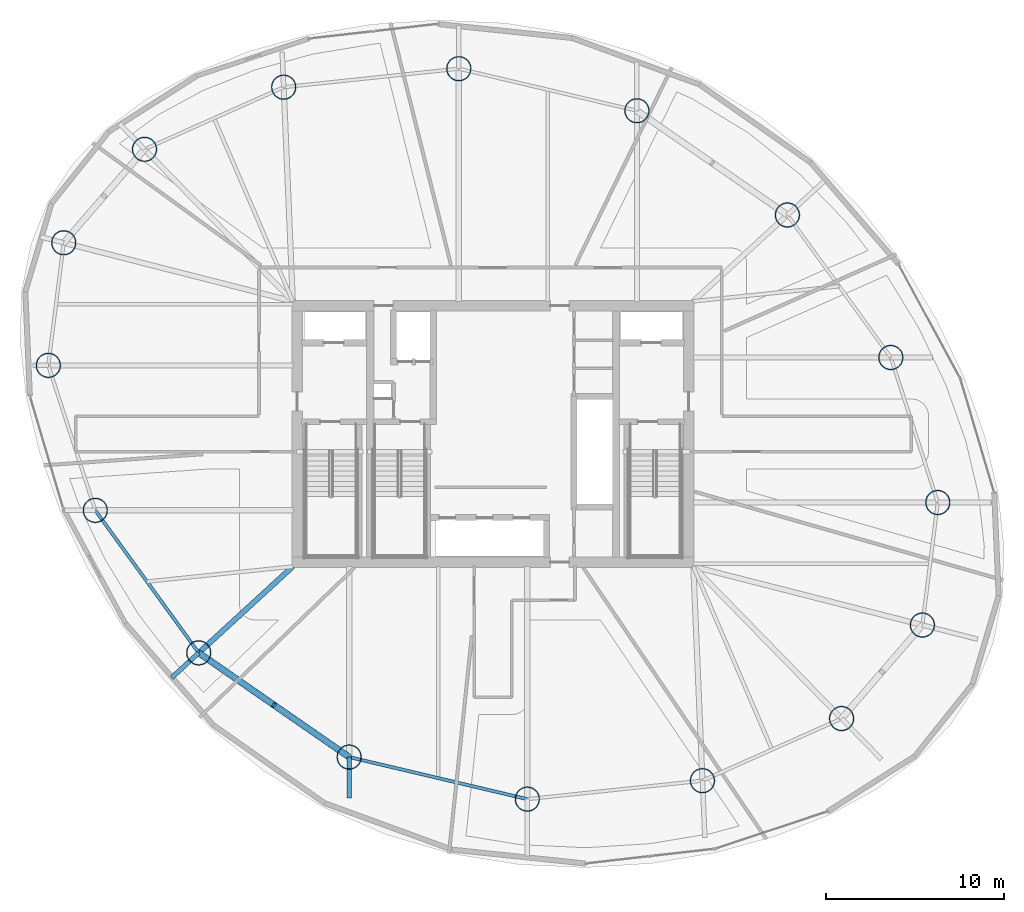
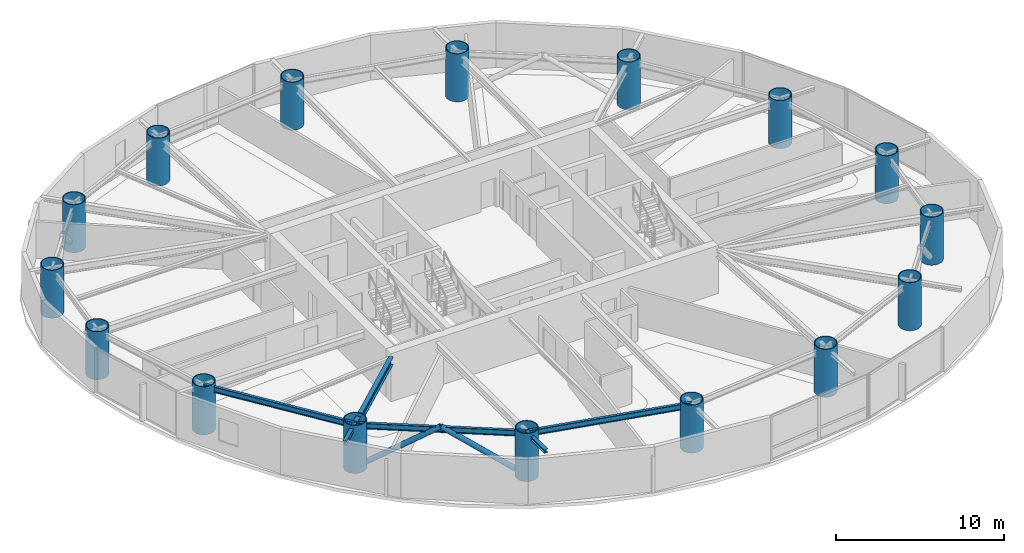
# One storey, part 1 of 22: 16 columns, 6 beams, 2 members.
"""IFC4 building model written with IfcOpenShell, lengths in metres."""

from ifc_helpers import new_model, si_unit, direction, frame, origin, origin_2d, place, context, subcontext, project, spatial, hollow_circle, i_section, extrude, material, material_profile, profile_set, type_object, element, save


model = new_model("IFC4")

# Units and contexts
model_context = context("Model", 3, precision=1e-05, world=origin(), true_north=direction((0.0, 1.0)))
body_context = subcontext(model_context, "Body", "Model", "MODEL_VIEW")
ifc_project = project(units=[si_unit("LENGTHUNIT", "METRE"), si_unit("AREAUNIT", "SQUARE_METRE"), si_unit("VOLUMEUNIT", "CUBIC_METRE"), si_unit("PLANEANGLEUNIT", "RADIAN"), si_unit("MASSUNIT", "GRAM", prefix="KILO")], contexts=[model_context])

# Site, building, storey
site_placement = place(None, origin())
site = spatial("IfcSite", under=ifc_project, at=site_placement, CompositionType="ELEMENT")
building_placement = place(site_placement, origin())
building = spatial("IfcBuilding", under=site, at=building_placement, Name="Bramvorn Convention Spire", CompositionType="ELEMENT")
storey_placement = place(building_placement, frame((0.0, 0.0, 141.300048828125)))
storey = spatial("IfcBuildingStorey", under=building, at=storey_placement, Name="L35", CompositionType="ELEMENT", Elevation=141.300048828125)

# Columns
ifc_material = material(Name="Steel CSA G40.21 Grade 350 (350W)", Category="steel")
ifc_material_profile_1 = material_profile(ifc_material, hollow_circle(Radius=0.699951171875, WallThickness=0.054931640625, at=origin_2d()))
ifc_profile_set_1 = profile_set([ifc_material_profile_1], Name="Steel CSA G40.21 Grade 350 (350W) - CFT1400X55")
column_type = type_object("IfcColumnType", Name="COL-CFT1400X55", PredefinedType="COLUMN", material=ifc_profile_set_1)
for number, where, z_axis, x_axis, name in (
    (1, (62.11767578125, 15.26220703125, 0.0), (0.0, 0.0, 1.0), (1.0, 0.0, 0.0), "L35 composite CFT mega-column MC01"),
    (2, (62.983642578125, 22.148193359375, 0.0), (0.0, 0.0, 1.0), (1.0, 0.0, 0.0), "L35 composite CFT mega-column MC02"),
    (3, (60.345703125, 30.293212890625, 0.0), (0.0, 0.0, 1.0), (1.0, 0.0, 0.0), "L35 composite CFT mega-column MC03"),
    (4, (54.534912109375, 38.299072265625, 0.0), (0.0, 0.0, 1.0), (1.0, 0.0, 0.0), "L35 composite CFT mega-column MC04"),
    (5, (46.082763671875, 44.154052734375, 0.0), (0.0, 0.0, 1.0), (1.0, 0.0, 0.0), "L35 composite CFT mega-column MC05"),
    (6, (36.075927734375, 46.517333984375, 0.0), (0.0, 0.0, 1.0), (1.0, 0.0, 0.0), "L35 composite CFT mega-column MC06"),
    (7, (26.23828125, 45.478759765625, 0.0), (0.0, 0.0, 1.0), (1.0, 0.0, 0.0), "L35 composite CFT mega-column MC07"),
    (8, (18.420166015625, 41.9892578125, 0.0), (0.0, 0.0, 1.0), (1.0, 0.0, 0.0), "L35 composite CFT mega-column MC08"),
    (9, (13.88232421875, 36.73779296875, 0.0), (0.0, 0.0, 1.0), (1.0, 0.0, 0.0), "L35 composite CFT mega-column MC09"),
    (10, (13.016357421875, 29.851806640625, 0.0), (0.0, 0.0, 1.0), (1.0, 0.0, 0.0), "L35 composite CFT mega-column MC10"),
    (11, (15.654296875, 21.706787109375, 0.0), (0.0, 0.0, 1.0), (1.0, 0.0, 0.0), "L35 composite CFT mega-column MC11"),
    (12, (21.465087890625, 13.700927734375, 0.0), (0.0, 0.0, 1.0), (1.0, 0.0, 0.0), "L35 composite CFT mega-column MC12"),
    (13, (29.917236328125, 7.845947265625, 0.0), (0.0, 0.0, 1.0), (1.0, 0.0, 0.0), "L35 composite CFT mega-column MC13"),
    (14, (39.924072265625, 5.482666015625, 0.0), (0.0, 0.0, 1.0), (1.0, 0.0, 0.0), "L35 composite CFT mega-column MC14"),
    (15, (49.76171875, 6.521240234375, 0.0), (0.0, 0.0, 1.0), (1.0, 0.0, 0.0), "L35 composite CFT mega-column MC15"),
    (16, (57.579833984375, 10.0107421875, 0.0), (0.0, 0.0, 1.0), (1.0, 0.0, 0.0), "L35 composite CFT mega-column MC16"),
):
    element("IfcColumn", number, at=place(storey_placement, frame(where, z_axis=z_axis, x_axis=x_axis)), inside=storey, type_object=column_type, Name=name, PredefinedType="COLUMN", context=body_context, shape_type="SweptSolid", body=[
        extrude(hollow_circle(Radius=0.699951171875, WallThickness=0.054931640625, at=origin_2d()), origin(), (0.0, 0.0, 1.0), 3.5),
    ])

# Beams
ifc_material_profile_2 = material_profile(ifc_material, i_section(OverallWidth=0.25390625, OverallDepth=0.2529296875, WebThickness=0.008544921875, FlangeThickness=0.01416015625, FilletRadius=0.011962890625, at=origin_2d()))
ifc_profile_set_2 = profile_set([ifc_material_profile_2], Name="Steel CSA G40.21 Grade 350 (350W) - W250X73")
beam_type_1 = type_object("IfcBeamType", Name="BM-W250X73", PredefinedType="BEAM", material=ifc_profile_set_2)
beam_1_placement = place(storey_placement, frame((21.465087890625, 13.700927734375, 3.133544921875), z_axis=(-0.736849676132, -0.67605662099, 0.0), x_axis=(0.67605662099, -0.736849676132, 0.0)))
element("IfcBeam", 17, at=beam_1_placement, inside=storey, type_object=beam_type_1, Name="L35 slab-edge cantilever tip beam MC12", PredefinedType="BEAM", context=body_context, shape_type="SweptSolid", body=[
    extrude(i_section(OverallWidth=0.25390625, OverallDepth=0.2529296875, WebThickness=0.008544921875, FlangeThickness=0.01416015625, FilletRadius=0.011962890625, at=origin_2d()), origin(), (0.0, 0.0, 1.0), 2.064208984375),
])
beam_2_placement = place(storey_placement, frame((29.917236328125, 7.845947265625, 3.133544921875), z_axis=(0.0, -1.0, 0.0), x_axis=(1.0, 0.0, 0.0)))
element("IfcBeam", 18, at=beam_2_placement, inside=storey, type_object=beam_type_1, Name="L35 slab-edge cantilever tip beam MC13", PredefinedType="BEAM", context=body_context, shape_type="SweptSolid", body=[
    extrude(i_section(OverallWidth=0.25390625, OverallDepth=0.2529296875, WebThickness=0.008544921875, FlangeThickness=0.01416015625, FilletRadius=0.011962890625, at=origin_2d()), origin(), (0.0, 0.0, 1.0), 2.302734375),
])
ifc_material_profile_3 = material_profile(ifc_material, i_section(OverallWidth=0.180908203125, OverallDepth=0.4169921875, WebThickness=0.010986328125, FlangeThickness=0.018310546875, FilletRadius=0.01611328125, at=origin_2d()))
ifc_profile_set_3 = profile_set([ifc_material_profile_3], Name="Steel CSA G40.21 Grade 350 (350W) - W410X85")
beam_type_2 = type_object("IfcBeamType", Name="BM-W410X85", PredefinedType="JOIST", material=ifc_profile_set_3)
beam_3_placement = place(storey_placement, frame((15.654296875, 21.706787109375, 3.051513671875), z_axis=(0.587401024629, -0.809296012757, 0.0), x_axis=(0.809296012757, 0.587401024629, 0.0)))
element("IfcBeam", 19, at=beam_3_placement, inside=storey, type_object=beam_type_2, Name="L35 mega-column ring beam 11", PredefinedType="JOIST", context=body_context, shape_type="SweptSolid", body=[
    extrude(i_section(OverallWidth=0.180908203125, OverallDepth=0.4169921875, WebThickness=0.010986328125, FlangeThickness=0.018310546875, FilletRadius=0.01611328125, at=origin_2d()), origin(), (0.0, 0.0, 1.0), 9.892333984375),
])
beam_4_placement = place(storey_placement, frame((21.465087890625, 13.700927734375, 3.051513671875), z_axis=(0.822033166673, -0.569439613032, 0.0), x_axis=(0.569439613032, 0.822033166673, 0.0)))
element("IfcBeam", 20, at=beam_4_placement, inside=storey, type_object=beam_type_2, Name="L35 mega-column ring beam 12", PredefinedType="JOIST", context=body_context, shape_type="SweptSolid", body=[
    extrude(i_section(OverallWidth=0.180908203125, OverallDepth=0.4169921875, WebThickness=0.010986328125, FlangeThickness=0.018310546875, FilletRadius=0.01611328125, at=origin_2d()), origin(), (0.0, 0.0, 1.0), 10.281982421875),
])
beam_5_placement = place(storey_placement, frame((29.917236328125, 7.845947265625, 3.051513671875), z_axis=(0.97322750491, -0.229843911572, 0.0), x_axis=(0.229843911572, 0.97322750491, 0.0)))
element("IfcBeam", 21, at=beam_5_placement, inside=storey, type_object=beam_type_2, Name="L35 mega-column ring beam 13", PredefinedType="JOIST", context=body_context, shape_type="SweptSolid", body=[
    extrude(i_section(OverallWidth=0.180908203125, OverallDepth=0.4169921875, WebThickness=0.010986328125, FlangeThickness=0.018310546875, FilletRadius=0.01611328125, at=origin_2d()), origin(), (0.0, 0.0, 1.0), 10.2822265625),
])
ifc_material_profile_4 = material_profile(ifc_material, i_section(OverallWidth=0.2919921875, OverallDepth=0.551025390625, WebThickness=0.01513671875, FlangeThickness=0.0244140625, FilletRadius=0.01904296875, at=origin_2d()))
ifc_profile_set_4 = profile_set([ifc_material_profile_4], Name="Steel CSA G40.21 Grade 350 (350W) - W530X182")
beam_type_3 = type_object("IfcBeamType", Name="BM-W530X182", PredefinedType="BEAM", material=ifc_profile_set_4)
beam_6_placement = place(storey_placement, frame((26.75, 18.550048828125, 2.984375), z_axis=(-0.736833323746, -0.676074443399, 0.0), x_axis=(0.676074443399, -0.736833323746, 0.0)))
element("IfcBeam", 22, at=beam_6_placement, inside=storey, type_object=beam_type_3, Name="L35 radial floor girder MC12", PredefinedType="BEAM", context=body_context, shape_type="SweptSolid", body=[
    extrude(i_section(OverallWidth=0.2919921875, OverallDepth=0.551025390625, WebThickness=0.01513671875, FlangeThickness=0.0244140625, FilletRadius=0.01904296875, at=origin_2d()), origin(), (0.0, 0.0, 1.0), 7.17236328125),
])

# Members
ifc_material_profile_5 = material_profile(ifc_material, hollow_circle(Radius=0.177734375, WallThickness=0.015869140625, at=origin_2d()))
ifc_profile_set_5 = profile_set([ifc_material_profile_5], Name="Steel CSA G40.21 Grade 350 (350W) - CHS356X16")
member_type = type_object("IfcMemberType", Name="MBR-CHS356X16", PredefinedType="BRACE", material=ifc_profile_set_5)
for number, where, z_axis, x_axis, name in (
    (23, (21.465087890625, 13.700927734375, 0.0), (0.694222482493, -0.480902471841, 0.535525869944), (0.569439613032, 0.822033166673, 0.0), "L35 perimeter Gothic lancet brace 12A"),
    (24, (29.917236328125, 7.845947265625, 0.0), (-0.694222482493, 0.480902471841, 0.535525869944), (-0.569439613032, -0.822033166673, 0.0), "L35 perimeter Gothic lancet brace 12B"),
):
    element("IfcMember", number, at=place(storey_placement, frame(where, z_axis=z_axis, x_axis=x_axis)), inside=storey, type_object=member_type, Name=name, PredefinedType="BRACE", context=body_context, shape_type="SweptSolid", body=[
        extrude(hollow_circle(Radius=0.177734375, WallThickness=0.015869140625, at=origin_2d()), origin(), (0.0, 0.0, 1.0), 6.08740234375),
    ])

save(model, "model.ifc")
